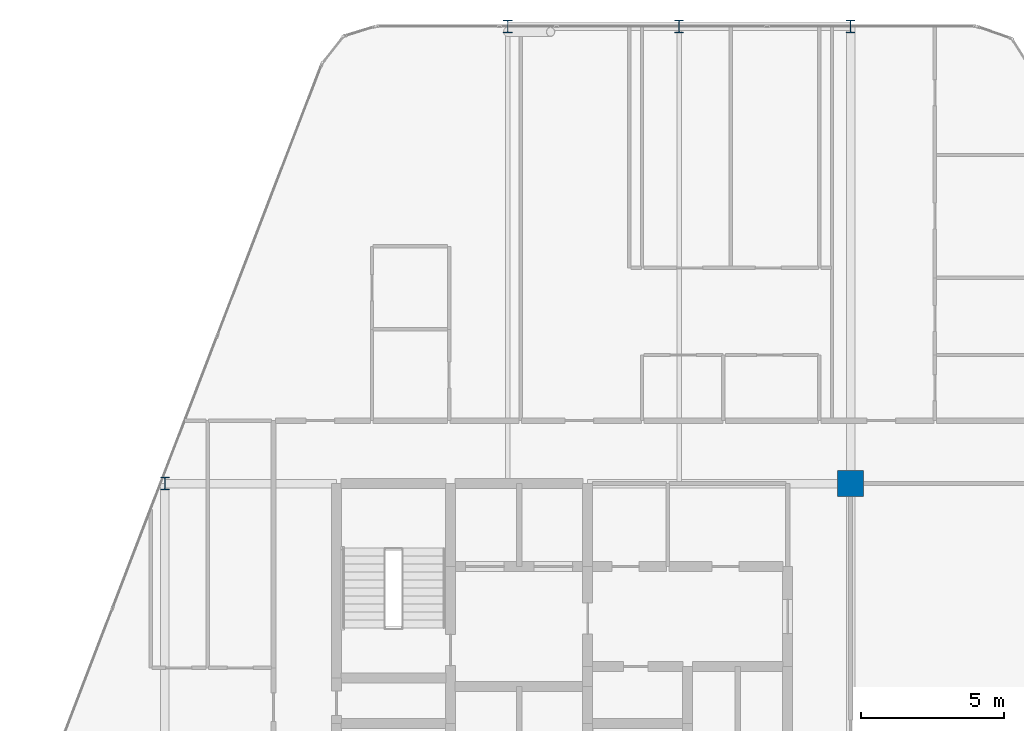
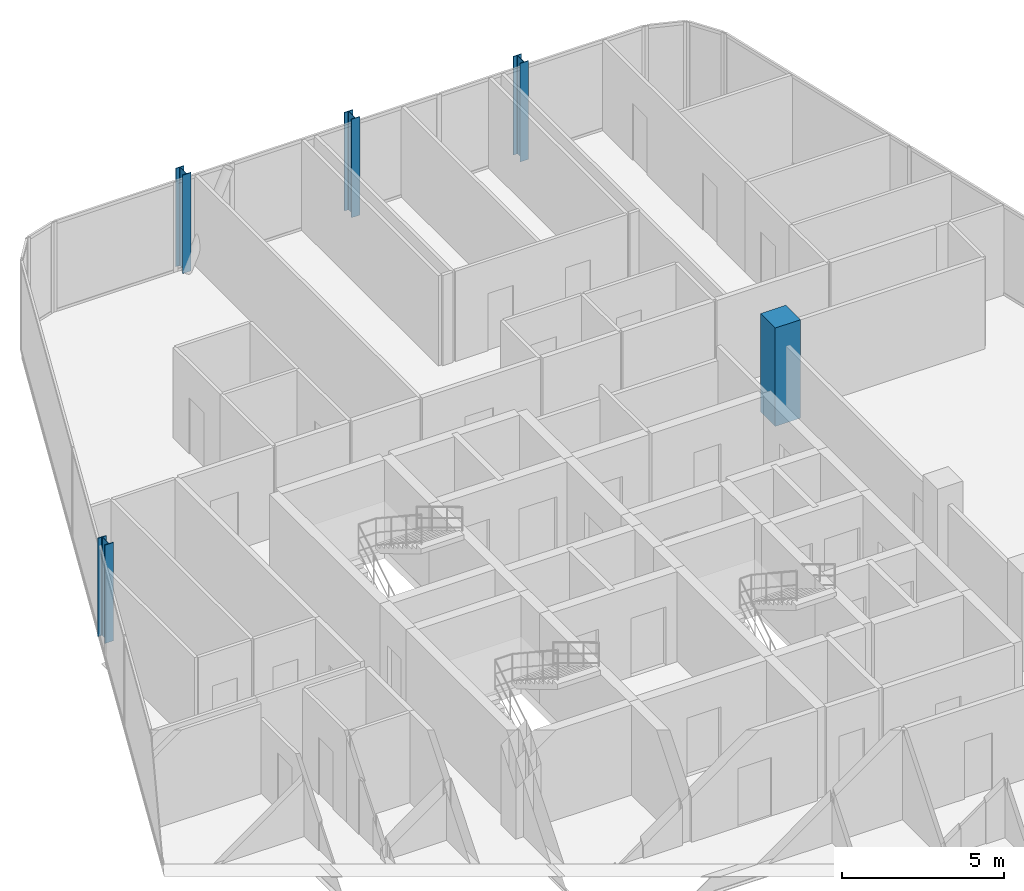
# One storey, part 3 of 29: 5 columns.
"""IFC4 building model written with IfcOpenShell, lengths in metres."""

from ifc_helpers import new_model, si_unit, direction, frame, origin, origin_2d, place, context, subcontext, project, spatial, rectangle, i_section, extrude, material, material_profile, profile_set, type_object, element, save


model = new_model("IFC4")

# Units and contexts
model_context = context("Model", 3, precision=1e-05, world=origin(), true_north=direction((0.0, 1.0)))
body_context = subcontext(model_context, "Body", "Model", "MODEL_VIEW")
ifc_project = project(units=[si_unit("LENGTHUNIT", "METRE"), si_unit("AREAUNIT", "SQUARE_METRE"), si_unit("VOLUMEUNIT", "CUBIC_METRE"), si_unit("PLANEANGLEUNIT", "RADIAN"), si_unit("MASSUNIT", "GRAM", prefix="KILO")], contexts=[model_context])

# Site, building, storey
site_placement = place(None, origin())
site = spatial("IfcSite", under=ifc_project, at=site_placement, CompositionType="ELEMENT")
building_placement = place(site_placement, origin())
building = spatial("IfcBuilding", under=site, at=building_placement, Name="Keshet Zoharim Tower", CompositionType="ELEMENT")
storey_placement = place(building_placement, frame((0.0, 0.0, 176.5)))
storey = spatial("IfcBuildingStorey", under=building, at=storey_placement, Name="L43", CompositionType="ELEMENT", Elevation=176.5)

# Columns
ifc_material_1 = material(Name="Steel S355", Category="steel")
ifc_material_profile_1 = material_profile(ifc_material_1, i_section(OverallWidth=0.300048828125, OverallDepth=0.449951171875, WebThickness=0.013916015625, FlangeThickness=0.02587890625, FilletRadius=0.027099609375, at=origin_2d()), Name="HEB450")
ifc_profile_set_1 = profile_set([ifc_material_profile_1], Name="Steel S355")
column_type_1 = type_object("IfcColumnType", Name="COL-HEB450", PredefinedType="COLUMN", material=ifc_profile_set_1)
for number, where, z_axis, x_axis, name in (
    (1, (9.0, 37.89990234375, 0.0), (0.0, 0.0, 1.0), (1.0, 0.0, 0.0), "L43 Column 2H"),
    (2, (21.0, 53.89990234375, 0.0), (0.0, 0.0, 1.0), (1.0, 0.0, 0.0), "L43 Column 4L"),
    (3, (27.0, 53.89990234375, 0.0), (0.0, 0.0, 1.0), (1.0, 0.0, 0.0), "L43 Column 5L"),
    (4, (33.0, 53.89990234375, 0.0), (0.0, 0.0, 1.0), (1.0, 0.0, 0.0), "L43 Column 6L"),
):
    element("IfcColumn", number, at=place(storey_placement, frame(where, z_axis=z_axis, x_axis=x_axis)), inside=storey, type_object=column_type_1, Name=name, PredefinedType="COLUMN", context=body_context, shape_type="SweptSolid", body=[
        extrude(i_section(OverallWidth=0.300048828125, OverallDepth=0.449951171875, WebThickness=0.013916015625, FlangeThickness=0.02587890625, FilletRadius=0.027099609375, at=origin_2d()), origin(), (0.0, 0.0, 1.0), 3.699951171875),
    ])
ifc_material_2 = material(Name="Concrete C60/75", Category="concrete")
ifc_material_profile_2 = material_profile(ifc_material_2, rectangle(XDim=0.89990234375, YDim=0.89990234375, at=origin_2d()), Name="RC900x900")
ifc_profile_set_2 = profile_set([ifc_material_profile_2], Name="Concrete C60/75")
column_type_2 = type_object("IfcColumnType", Name="COL-RC900", PredefinedType="COLUMN", material=ifc_profile_set_2)
column_placement = place(storey_placement, frame((33.0, 37.89990234375, 0.0), z_axis=(0.0, 0.0, 1.0), x_axis=(1.0, 0.0, 0.0)))
element("IfcColumn", 5, at=column_placement, inside=storey, type_object=column_type_2, Name="L43 Column 6H", PredefinedType="COLUMN", context=body_context, shape_type="SweptSolid", body=[
    extrude(rectangle(XDim=0.89990234375, YDim=0.89990234375, at=origin_2d()), origin(), (0.0, 0.0, 1.0), 3.699951171875),
])

save(model, "model.ifc")
